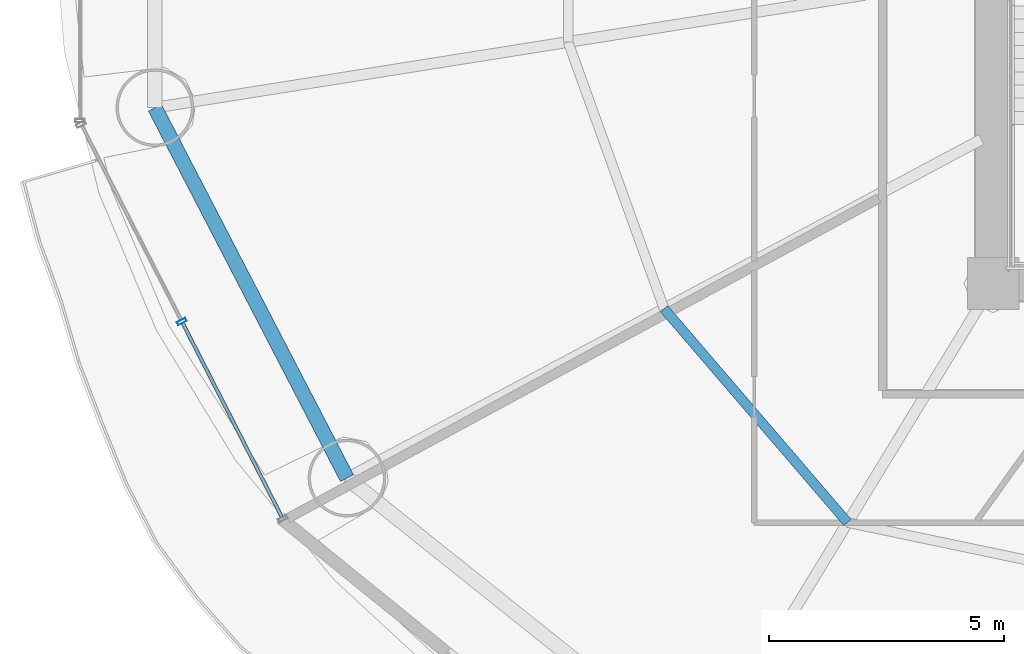
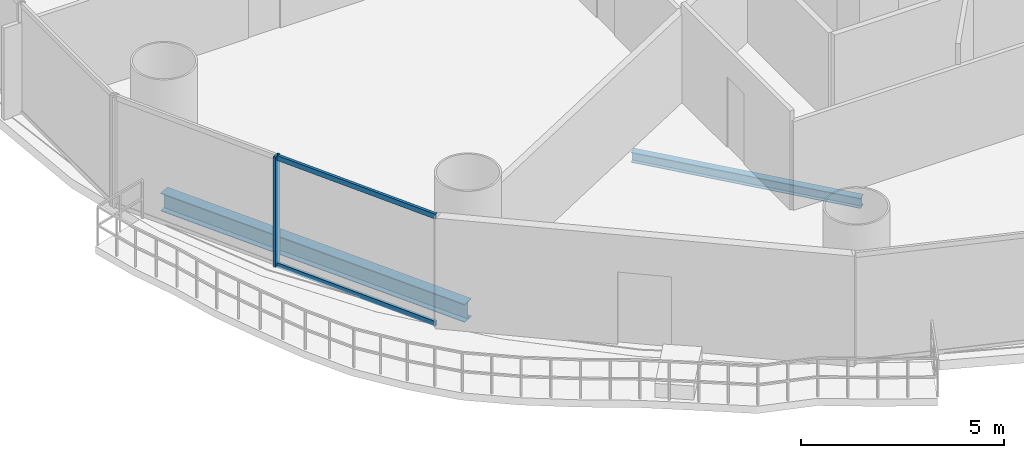
# One storey, part 3 of 30: 3 members, 2 beams, 1 element without a shape of its own.
"""IFC4 building model written with IfcOpenShell, lengths in metres."""

from ifc_helpers import new_model, si_unit, direction, frame, origin, origin_2d, place, context, subcontext, project, spatial, hollow_rectangle, i_section, extrude, source, transform, mapped, material, material_profile, profile_set, type_object, element, aggregate, save


model = new_model("IFC4")

# Units and contexts
model_context = context("Model", 3, precision=1e-05, world=origin(), true_north=direction((-0.2419218956, 0.970295726276)))
body_context = subcontext(model_context, "Body", "Model", "MODEL_VIEW")
ifc_project = project(units=[si_unit("LENGTHUNIT", "METRE"), si_unit("AREAUNIT", "SQUARE_METRE"), si_unit("VOLUMEUNIT", "CUBIC_METRE"), si_unit("PLANEANGLEUNIT", "RADIAN"), si_unit("MASSUNIT", "GRAM", prefix="KILO")], contexts=[model_context])

# Site, building, storey
site_placement = place(None, origin())
site = spatial("IfcSite", under=ifc_project, at=site_placement, CompositionType="ELEMENT")
building_placement = place(site_placement, origin())
building = spatial("IfcBuilding", under=site, at=building_placement, Name="Cobrevalo Terracotta Tower", CompositionType="ELEMENT")
storey_placement = place(building_placement, frame((0.0, 0.0, 56.39990234375)))
storey = spatial("IfcBuildingStorey", under=building, at=storey_placement, Name="L14", CompositionType="ELEMENT", Elevation=56.39990234375)

# Beams
ifc_material_1 = material(Name="Steel S355", Category="steel")
ifc_material_profile_1 = material_profile(ifc_material_1, i_section(OverallWidth=0.2041015625, OverallDepth=0.305908203125, WebThickness=0.008544921875, FlangeThickness=0.0146484375, at=origin_2d()), Name="W 310x67")
ifc_profile_set_1 = profile_set([ifc_material_profile_1], Name="Steel S355")
beam_type_1 = type_object("IfcBeamType", Name="Structural Joist W 310x67 (Steel S355)", PredefinedType="JOIST", material=ifc_profile_set_1)
beam_1_placement = place(storey_placement, frame((22.002197265625, 18.26025390625, -0.432861328125), z_axis=(0.651328404454, -0.758795960421, 0.0), x_axis=(0.758795960421, 0.651328404454, 0.0)))
element("IfcBeam", 1, at=beam_1_placement, inside=storey, type_object=beam_type_1, Name="L14 circumferential secondary floor joist 10", PredefinedType="JOIST", context=body_context, shape_type="SweptSolid", body=[
    extrude(i_section(OverallWidth=0.2041015625, OverallDepth=0.305908203125, WebThickness=0.008544921875, FlangeThickness=0.0146484375, at=origin_2d()), origin(), (0.0, 0.0, 1.0), 5.98828125),
])
ifc_material_profile_2 = material_profile(ifc_material_1, i_section(OverallWidth=0.31201171875, OverallDepth=0.54296875, WebThickness=0.0126953125, FlangeThickness=0.020263671875, at=origin_2d()), Name="W 530x150")
ifc_profile_set_2 = profile_set([ifc_material_profile_2], Name="Steel S355")
beam_type_2 = type_object("IfcBeamType", Name="Structural Spandrel W 530x150 (Steel S355)", PredefinedType="SPANDREL", material=ifc_profile_set_2)
beam_2_placement = place(storey_placement, frame((11.175537109375, 22.537353515625, -0.551513671875), z_axis=(0.460285838799, -0.88777077368, 0.0), x_axis=(0.88777077368, 0.460285838799, 0.0)))
element("IfcBeam", 2, at=beam_2_placement, inside=storey, type_object=beam_type_2, Name="L14 perimeter ring spandrel 09", PredefinedType="SPANDREL", context=body_context, shape_type="SweptSolid", body=[
    extrude(i_section(OverallWidth=0.31201171875, OverallDepth=0.54296875, WebThickness=0.0126953125, FlangeThickness=0.020263671875, at=origin_2d()), origin(), (0.0, 0.0, 1.0), 8.8720703125),
])

# Curtain wall, members
ifc_material_2 = material(Name="Anodized aluminium", Category="aluminium")
curtain_wall_type = type_object("IfcCurtainWallType", Name="Lower-tower unitised acoustic low-E curtain wall CW-U1", PredefinedType="NOTDEFINED", material=ifc_material_2)
curtain_wall_placement = place(storey_placement, origin())
curtain_wall = element("IfcCurtainWall", 3, at=curtain_wall_placement, inside=storey, type_object=curtain_wall_type, Name="L14 curtain wall CW-L14-S09", PredefinedType="NOTDEFINED")
ifc_material_profile_3 = material_profile(ifc_material_2, hollow_rectangle(XDim=0.074951171875, YDim=0.199951171875, WallThickness=0.0048828125, at=origin_2d()), Name="CWM 75x200")
ifc_profile_set_3 = profile_set([ifc_material_profile_3], Name="Anodized aluminium")
member_type_1 = type_object("IfcMemberType", Name="Lower/mid tower unitised mullion 75x200", PredefinedType="MULLION", material=ifc_profile_set_3)
shared_shape_1 = source(origin(), body_context, "Body", "SweptSolid", [
    extrude(hollow_rectangle(XDim=0.074951171875, YDim=0.199951171875, WallThickness=0.0048828125, at=origin_2d()), origin(), (0.0, 0.0, 1.0), 3.320068359375),
])
member_1_placement = place(storey_placement, frame((11.74951171875, 17.990966796875, 0.0), z_axis=(0.0, 0.0, 1.0), x_axis=(0.455234136597, -0.890371765543, 0.0)))
member_1 = element("IfcMember", 4, at=member_1_placement, type_object=member_type_1, Name="CW-L14-S09 vertical mullion 02", PredefinedType="MULLION", context=body_context, shape_type="MappedRepresentation", body=[
    mapped(shared_shape_1, transform((0.0, 0.0, 0.0), scale=1.0)),
])
ifc_material_profile_4 = material_profile(ifc_material_2, hollow_rectangle(XDim=0.074951171875, YDim=0.14990234375, WallThickness=0.00439453125, at=origin_2d()), Name="CWT 75x150")
ifc_profile_set_4 = profile_set([ifc_material_profile_4], Name="Anodized aluminium")
member_type_2 = type_object("IfcMemberType", Name="Tower unitised aluminium transom 75x150", PredefinedType="USERDEFINED", material=ifc_profile_set_4)
shared_shape_2 = source(origin(), body_context, "Body", "SweptSolid", [
    extrude(hollow_rectangle(XDim=0.074951171875, YDim=0.14990234375, WallThickness=0.00439453125, at=origin_2d()), origin(), (0.0, 0.0, 1.0), 4.631103515625),
])
member_2_placement = place(storey_placement, frame((11.767578125, 17.955322265625, 0.050048828125), z_axis=(0.455271744945, -0.89035253594, 0.0), x_axis=(0.89035253594, 0.455271744945, 0.0)))
member_2 = element("IfcMember", 5, at=member_2_placement, type_object=member_type_2, Name="CW-L14-S09 transom B02-T1", ObjectType="TRANSOM", PredefinedType="USERDEFINED", context=body_context, shape_type="MappedRepresentation", body=[
    mapped(shared_shape_2, transform((0.0, 0.0, 0.0), scale=1.0)),
])
member_3_placement = place(storey_placement, frame((11.767578125, 17.955322265625, 3.27001953125), z_axis=(0.455271744945, -0.89035253594, 0.0), x_axis=(0.89035253594, 0.455271744945, 0.0)))
member_3 = element("IfcMember", 6, at=member_3_placement, type_object=member_type_2, Name="CW-L14-S09 transom B02-T2", ObjectType="TRANSOM", PredefinedType="USERDEFINED", context=body_context, shape_type="MappedRepresentation", body=[
    mapped(shared_shape_2, transform((0.0, 0.0, 0.0), scale=1.0)),
])
aggregate(curtain_wall, [member_1, member_2, member_3])

save(model, "model.ifc")
